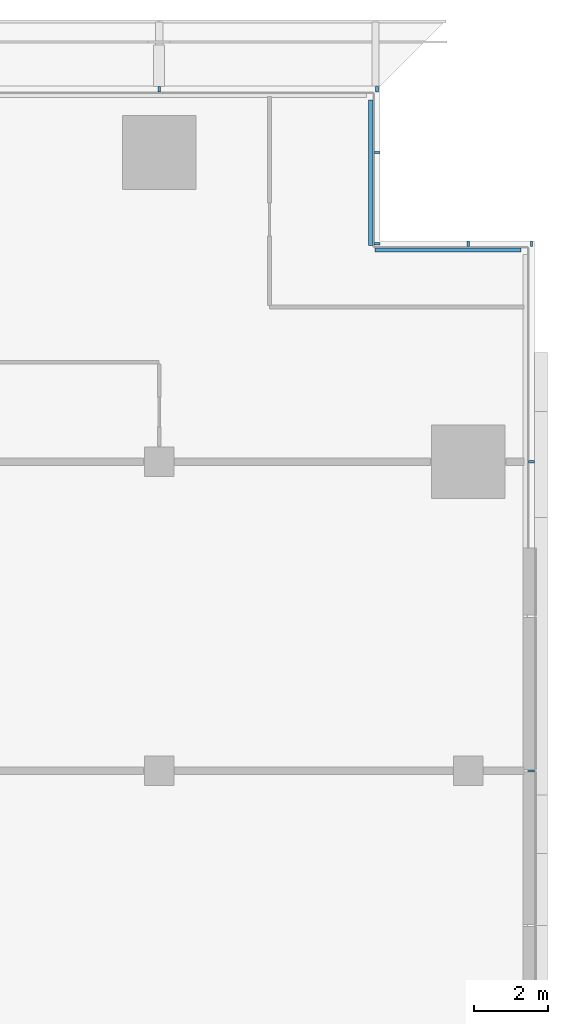
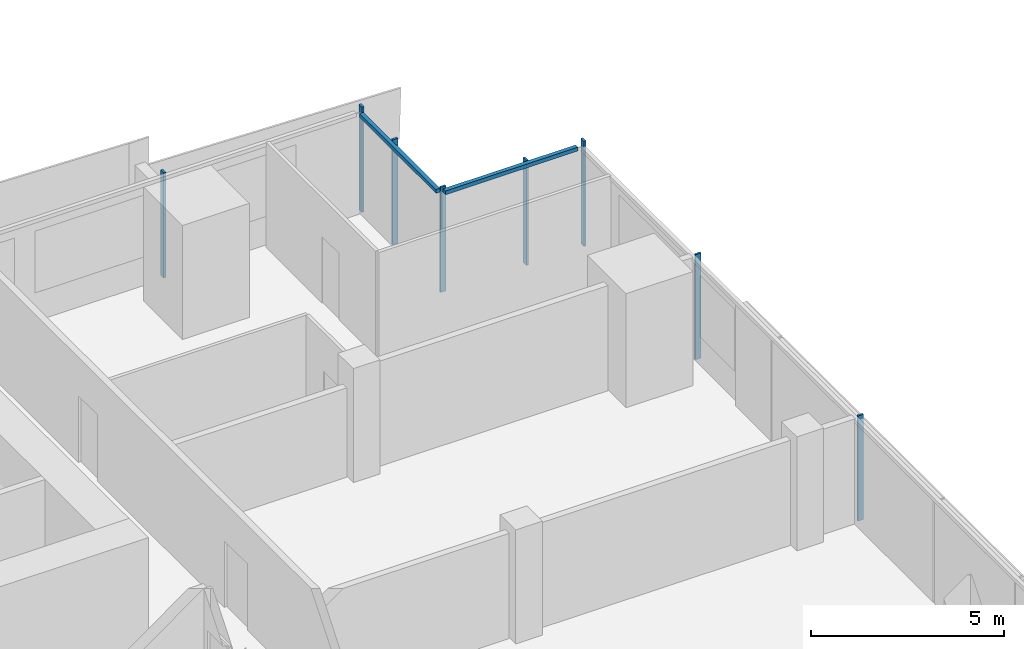
# One storey, part 16 of 30: 10 members, 4 elements without a shape of their own.
"""IFC4 building model written with IfcOpenShell, lengths in metres."""

from ifc_helpers import new_model, si_unit, direction, frame, origin, origin_2d, place, context, subcontext, project, spatial, rectangle, extrude, material, material_profile, profile_set, type_object, element, aggregate, save


model = new_model("IFC4")

# Units and contexts
model_context = context("Model", 3, precision=1e-05, world=origin(), true_north=direction((0.0, 1.0)))
body_context = subcontext(model_context, "Body", "Model", "MODEL_VIEW")
ifc_project = project(units=[si_unit("LENGTHUNIT", "METRE"), si_unit("AREAUNIT", "SQUARE_METRE"), si_unit("VOLUMEUNIT", "CUBIC_METRE"), si_unit("PLANEANGLEUNIT", "RADIAN"), si_unit("MASSUNIT", "GRAM", prefix="KILO")], contexts=[model_context])

# Site, building, storey
site_placement = place(None, origin())
site = spatial("IfcSite", under=ifc_project, at=site_placement, CompositionType="ELEMENT")
building_placement = place(site_placement, origin())
building = spatial("IfcBuilding", under=site, at=building_placement, Name="Saffron Gate Tower", CompositionType="ELEMENT")
storey_placement = place(building_placement, frame((0.0, 0.0, 95.25)))
storey = spatial("IfcBuildingStorey", under=building, at=storey_placement, Name="L21", CompositionType="ELEMENT", Elevation=95.25)

# Curtain wall, members
ifc_material = material(Name="Aluminium, bronze anodised", Category="aluminium")
curtain_wall_type_1 = type_object("IfcCurtainWallType", Name="CWS2 curtain wall side facades", PredefinedType="NOTDEFINED", material=ifc_material)
curtain_wall_1_placement = place(storey_placement, origin())
curtain_wall_1 = element("IfcCurtainWall", 1, at=curtain_wall_1_placement, inside=storey, type_object=curtain_wall_type_1, Name="CWS2 run 4", PredefinedType="NOTDEFINED")
ifc_material_profile_1 = material_profile(ifc_material, rectangle(XDim=0.159912109375, YDim=0.06005859375, at=origin_2d()))
ifc_profile_set_1 = profile_set([ifc_material_profile_1], Name="Aluminium, bronze anodised")
member_type_1 = type_object("IfcMemberType", Name="CWS2 mullion 60x160", PredefinedType="MULLION", material=ifc_profile_set_1)
member_1_placement = place(storey_placement, frame((127.1201171875, 57.0, 0.0), z_axis=(0.0, 0.0, 1.0), x_axis=(-1.0, 0.0, 0.0)))
member_1 = element("IfcMember", 2, at=member_1_placement, type_object=member_type_1, Name="CWS2 mullion 4", PredefinedType="MULLION", context=body_context, shape_type="SweptSolid", body=[
    extrude(rectangle(XDim=0.159912109375, YDim=0.06005859375, at=origin_2d()), origin(), (0.0, 0.0, 1.0), 3.320068359375),
])
member_2_placement = place(storey_placement, frame((127.1201171875, 65.39990234375, 0.0), z_axis=(0.0, 0.0, 1.0), x_axis=(-1.0, 0.0, 0.0)))
member_2 = element("IfcMember", 3, at=member_2_placement, type_object=member_type_1, Name="CWS2 mullion 5", PredefinedType="MULLION", context=body_context, shape_type="SweptSolid", body=[
    extrude(rectangle(XDim=0.159912109375, YDim=0.06005859375, at=origin_2d()), origin(), (0.0, 0.0, 1.0), 3.320068359375),
])
aggregate(curtain_wall_1, [member_1, member_2])

curtain_wall_type_2 = type_object("IfcCurtainWallType", Name="CWS3 curtain wall rear facade", PredefinedType="NOTDEFINED", material=ifc_material)
curtain_wall_2_placement = place(storey_placement, origin())
curtain_wall_2 = element("IfcCurtainWall", 4, at=curtain_wall_2_placement, inside=storey, type_object=curtain_wall_type_2, Name="CWS3 run 7", PredefinedType="NOTDEFINED")
ifc_material_profile_2 = material_profile(ifc_material, rectangle(XDim=0.159912109375, YDim=0.070068359375, at=origin_2d()))
ifc_profile_set_2 = profile_set([ifc_material_profile_2], Name="Aluminium, bronze anodised")
member_type_2 = type_object("IfcMemberType", Name="CWS3 mullion 70x160", PredefinedType="MULLION", material=ifc_profile_set_2)
member_3_placement = place(storey_placement, frame((122.919921875, 75.52001953125, 0.0), z_axis=(0.0, 0.0, 1.0), x_axis=(0.0, -1.0, 0.0)))
member_3 = element("IfcMember", 5, at=member_3_placement, type_object=member_type_2, Name="CWS3 mullion 1", PredefinedType="MULLION", context=body_context, shape_type="SweptSolid", body=[
    extrude(rectangle(XDim=0.159912109375, YDim=0.070068359375, at=origin_2d()), origin(), (0.0, 0.0, 1.0), 3.320068359375),
])
member_4_placement = place(storey_placement, frame((117.0, 75.52001953125, 0.0), z_axis=(0.0, 0.0, 1.0), x_axis=(0.0, -1.0, 0.0)))
member_4 = element("IfcMember", 6, at=member_4_placement, type_object=member_type_2, Name="CWS3 mullion 2", PredefinedType="MULLION", context=body_context, shape_type="SweptSolid", body=[
    extrude(rectangle(XDim=0.159912109375, YDim=0.070068359375, at=origin_2d()), origin(), (0.0, 0.0, 1.0), 3.320068359375),
])
aggregate(curtain_wall_2, [member_3, member_4])

# Curtain wall, member
curtain_wall_type_3 = type_object("IfcCurtainWallType", Name="CWS4 curtain wall corner returns", PredefinedType="NOTDEFINED", material=ifc_material)
curtain_wall_3_placement = place(storey_placement, origin())
curtain_wall_3 = element("IfcCurtainWall", 7, at=curtain_wall_3_placement, inside=storey, type_object=curtain_wall_type_3, Name="CWS4 run 5", PredefinedType="NOTDEFINED")
ifc_material_profile_3 = material_profile(ifc_material, rectangle(XDim=0.1201171875, YDim=0.1201171875, at=origin_2d()))
ifc_profile_set_3 = profile_set([ifc_material_profile_3], Name="Aluminium, bronze anodised")
member_type_3 = type_object("IfcMemberType", Name="CWS4 head transom", PredefinedType="USERDEFINED", material=ifc_profile_set_3)
member_5_placement = place(storey_placement, frame((126.83203125, 71.152099609375, 3.260009765625), z_axis=(-1.0, 0.0, 0.0), x_axis=(0.0, -1.0, 0.0)))
member_5 = element("IfcMember", 8, at=member_5_placement, type_object=member_type_3, Name="CWS4 head transom", ObjectType="TRANSOM", PredefinedType="USERDEFINED", context=body_context, shape_type="SweptSolid", body=[
    extrude(rectangle(XDim=0.1201171875, YDim=0.1201171875, at=origin_2d()), origin(), (0.0, 0.0, 1.0), 3.9599609375),
])

curtain_wall_4_placement = place(storey_placement, origin())
curtain_wall_4 = element("IfcCurtainWall", 9, at=curtain_wall_4_placement, inside=storey, type_object=curtain_wall_type_3, Name="CWS4 run 6", PredefinedType="NOTDEFINED")
member_6_placement = place(storey_placement, frame((122.751953125, 71.27197265625, 3.260009765625), z_axis=(0.0, 1.0, 0.0), x_axis=(-1.0, 0.0, 0.0)))
member_6 = element("IfcMember", 10, at=member_6_placement, type_object=member_type_3, Name="CWS4 head transom", ObjectType="TRANSOM", PredefinedType="USERDEFINED", context=body_context, shape_type="SweptSolid", body=[
    extrude(rectangle(XDim=0.1201171875, YDim=0.1201171875, at=origin_2d()), origin(), (0.0, 0.0, 1.0), 3.9599609375),
])

# Member
ifc_material_profile_4 = material_profile(ifc_material, rectangle(XDim=0.159912109375, YDim=0.06005859375, at=origin_2d()))
ifc_profile_set_4 = profile_set([ifc_material_profile_4], Name="Aluminium, bronze anodised")
member_type_4 = type_object("IfcMemberType", Name="CWS4 mullion 60x160", PredefinedType="MULLION", material=ifc_profile_set_4)
member_7_placement = place(storey_placement, frame((127.1201171875, 71.320068359375, 0.0), z_axis=(0.0, 0.0, 1.0), x_axis=(0.0, -1.0, 0.0)))
member_7 = element("IfcMember", 11, at=member_7_placement, type_object=member_type_4, Name="CWS4 mullion 1", PredefinedType="MULLION", context=body_context, shape_type="SweptSolid", body=[
    extrude(rectangle(XDim=0.159912109375, YDim=0.06005859375, at=origin_2d()), origin(), (0.0, 0.0, 1.0), 3.320068359375),
])

member_8_placement = place(storey_placement, frame((125.39990234375, 71.320068359375, 0.0), z_axis=(0.0, 0.0, 1.0), x_axis=(0.0, -1.0, 0.0)))
member_8 = element("IfcMember", 12, at=member_8_placement, type_object=member_type_4, Name="CWS4 mullion 2", PredefinedType="MULLION", context=body_context, shape_type="SweptSolid", body=[
    extrude(rectangle(XDim=0.159912109375, YDim=0.06005859375, at=origin_2d()), origin(), (0.0, 0.0, 1.0), 3.320068359375),
])

aggregate(curtain_wall_3, [member_7, member_8, member_5])

member_9_placement = place(storey_placement, frame((122.919921875, 71.320068359375, 0.0), z_axis=(0.0, 0.0, 1.0), x_axis=(-1.0, 0.0, 0.0)))
member_9 = element("IfcMember", 13, at=member_9_placement, type_object=member_type_4, Name="CWS4 mullion 1", PredefinedType="MULLION", context=body_context, shape_type="SweptSolid", body=[
    extrude(rectangle(XDim=0.159912109375, YDim=0.06005859375, at=origin_2d()), origin(), (0.0, 0.0, 1.0), 3.320068359375),
])

member_10_placement = place(storey_placement, frame((122.919921875, 73.800048828125, 0.0), z_axis=(0.0, 0.0, 1.0), x_axis=(-1.0, 0.0, 0.0)))
member_10 = element("IfcMember", 14, at=member_10_placement, type_object=member_type_4, Name="CWS4 mullion 2", PredefinedType="MULLION", context=body_context, shape_type="SweptSolid", body=[
    extrude(rectangle(XDim=0.159912109375, YDim=0.06005859375, at=origin_2d()), origin(), (0.0, 0.0, 1.0), 3.320068359375),
])

aggregate(curtain_wall_4, [member_9, member_10, member_6])

save(model, "model.ifc")
